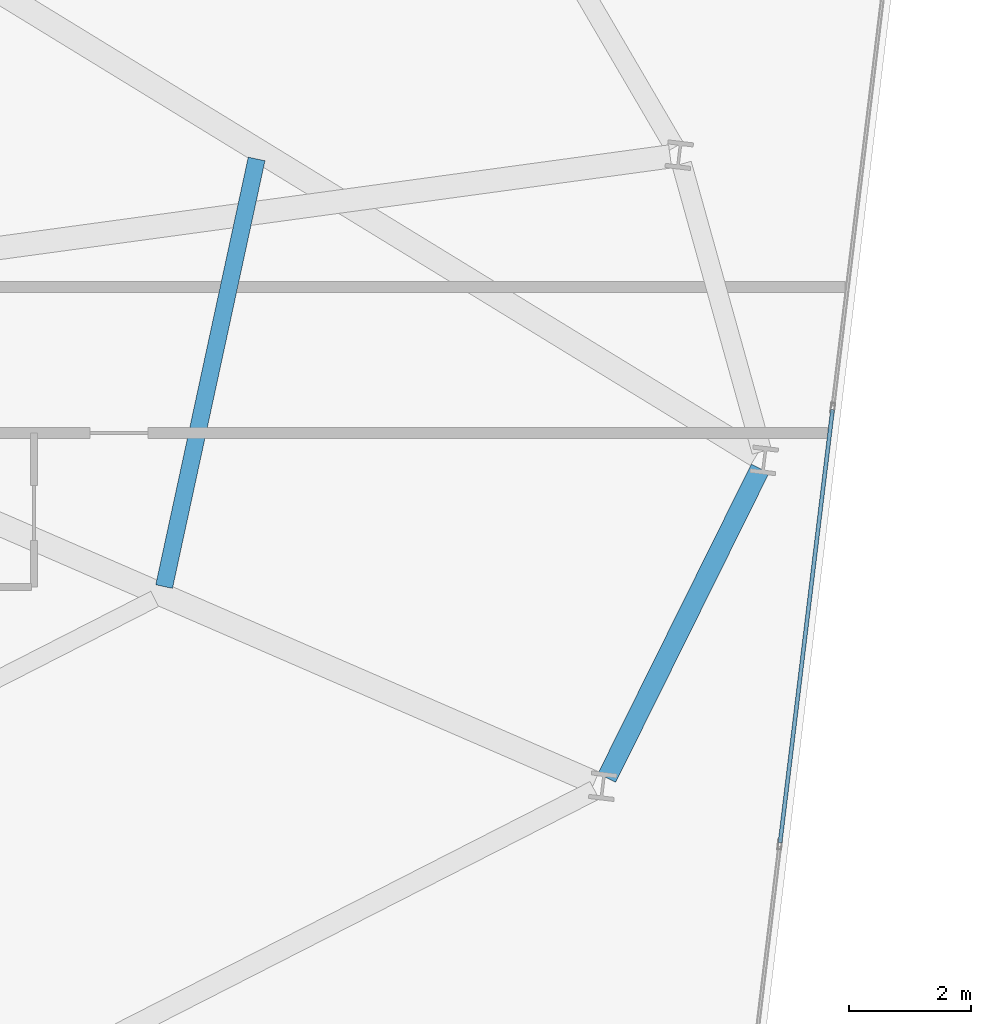
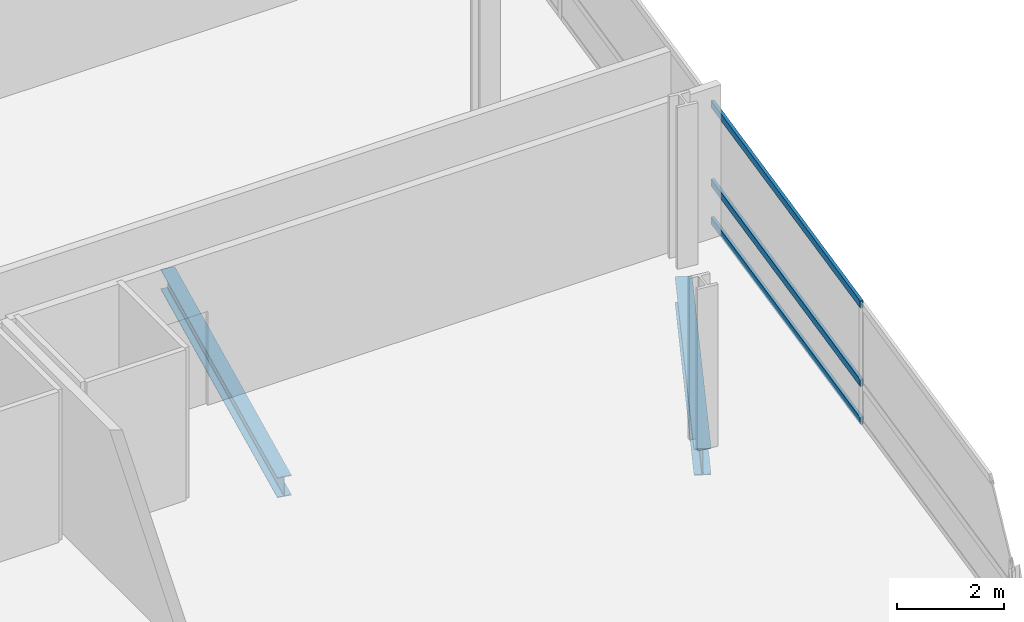
# One storey, part 15 of 26: 3 members, 2 beams, 1 element without a shape of its own.
"""IFC4 building model written with IfcOpenShell, lengths in metres."""

import ifcopenshell
import ifcopenshell.guid

model = None  # the IFC model being written
_history = None  # IfcOwnerHistory: only IFC2X3 demands one
_inside = {}  # id of a spatial element -> (the spatial element, [elements in it])
_under = {}  # id of a project, library or spatial element -> (it, [spatial elements below it])
_declared = {}  # id of a project -> (the project, [libraries it declares])
_typed = {}  # id of a type object -> (the type object, [elements of that type])
_made_of = {}  # id of a material, layer set ... -> (it, [elements and type objects made of it])


def new_model(schema):
    """Start an empty IFC model of exactly this schema.

    Asked for "IFC4X3", IfcOpenShell would pick the latest addendum, in which some entities
    have other attributes; the version numbers below select the first issue.
    IFC2X3 requires an IfcOwnerHistory on every rooted entity: one is made here for all.
    """
    global model, _history
    if schema == "IFC4X3":
        model = ifcopenshell.file(schema_version=(4, 3, 0, 0))
    else:
        model = ifcopenshell.file(schema=schema)
    _inside.clear()
    _under.clear()
    _declared.clear()
    _typed.clear()
    _made_of.clear()
    _history = None
    if model.schema == "IFC2X3":
        org = make("IfcOrganization", Name="unknown")
        user = make(
            "IfcPersonAndOrganization",
            ThePerson=make("IfcPerson", FamilyName="unknown"),
            TheOrganization=org,
        )
        app = make(
            "IfcApplication",
            ApplicationDeveloper=org,
            Version="unknown",
            ApplicationFullName="unknown",
            ApplicationIdentifier="unknown",
        )
        _history = make(
            "IfcOwnerHistory",
            OwningUser=user,
            OwningApplication=app,
            ChangeAction="ADDED",
            CreationDate=0,
        )
    return model


def make(cls, **values):
    """One entity of the class cls with the attributes given. An attribute that is None is left unset."""
    return model.create_entity(
        cls, **{name: value for name, value in values.items() if value is not None}
    )


def rooted(cls, **values):
    """An entity with a GlobalId (a new one), such as an element, a storey or a relation."""
    return make(cls, GlobalId=ifcopenshell.guid.new(), OwnerHistory=_history, **values)


def si_unit(unit_type, name, prefix=None):
    """IfcSIUnit, for example si_unit("LENGTHUNIT", "METRE", prefix="MILLI")."""
    return make("IfcSIUnit", UnitType=unit_type, Prefix=prefix, Name=name)


def assignment(units):
    """IfcUnitAssignment: the units of a project."""
    return None if units is None else make("IfcUnitAssignment", Units=units)


def point(xyz):
    """IfcCartesianPoint."""
    return None if xyz is None else make("IfcCartesianPoint", Coordinates=xyz)


def direction(xyz):
    """IfcDirection."""
    return None if xyz is None else make("IfcDirection", DirectionRatios=xyz)


def frame(location, z_axis=None, x_axis=None):
    """IfcAxis2Placement3D, a coordinate frame: its origin and axes. An axis left out is left unset."""
    return make(
        "IfcAxis2Placement3D",
        Location=point(location),
        Axis=direction(z_axis),
        RefDirection=direction(x_axis),
    )


def frame_2d(location, x_axis=None):
    """IfcAxis2Placement2D, a coordinate frame in the plane: its origin and x axis."""
    return make(
        "IfcAxis2Placement2D", Location=point(location), RefDirection=direction(x_axis)
    )


def origin():
    """The frame at (0, 0, 0) with its axes left unset."""
    return frame((0.0, 0.0, 0.0))


def origin_2d():
    """The frame at (0, 0) in the plane with its x axis left unset."""
    return frame_2d((0.0, 0.0))


def place(relative_to, where):
    """IfcLocalPlacement: puts the frame where relative to a parent placement (None: the world)."""
    return make(
        "IfcLocalPlacement", PlacementRelTo=relative_to, RelativePlacement=where
    )


def context(
    kind, dimensions, precision=None, world=None, true_north=None, identifier=None
):
    """IfcGeometricRepresentationContext, for example the 3D "Model" context."""
    return make(
        "IfcGeometricRepresentationContext",
        ContextIdentifier=identifier,
        ContextType=kind,
        CoordinateSpaceDimension=dimensions,
        Precision=precision,
        WorldCoordinateSystem=world,
        TrueNorth=true_north,
    )


def subcontext(parent, identifier, kind, view, scale=None):
    """IfcGeometricRepresentationSubContext, for example "Body" below "Model"."""
    return make(
        "IfcGeometricRepresentationSubContext",
        ContextIdentifier=identifier,
        ContextType=kind,
        ParentContext=parent,
        TargetScale=scale,
        TargetView=view,
    )


def project(units=None, contexts=None):
    """IfcProject with its units and contexts."""
    return rooted(
        "IfcProject",
        Name="project",
        RepresentationContexts=contexts,
        UnitsInContext=assignment(units),
    )


def spatial(cls, under=None, at=None, **own):
    """A site, building, storey or space (cls), placed at a placement, below another one or the project."""
    s = rooted(cls, ObjectPlacement=at, **own)
    if under is not None:
        _under.setdefault(under.id(), (under, []))[1].append(s)
    return s


def profile(cls, at=None, kind="AREA", **sizes):
    """A parametric profile (cls). Its sizes go by their IFC names, for example OverallWidth=200.0."""
    return make(cls, ProfileType=kind, Position=at, **sizes)


def hollow_rectangle(**sizes):
    """IfcRectangleHollowProfileDef."""
    return profile("IfcRectangleHollowProfileDef", **sizes)


def i_section(**sizes):
    """IfcIShapeProfileDef."""
    return profile("IfcIShapeProfileDef", **sizes)


def extrude(swept, where, along, depth):
    """IfcExtrudedAreaSolid: the profile swept, set in the frame where, extruded along a direction by depth."""
    return make(
        "IfcExtrudedAreaSolid",
        SweptArea=swept,
        Position=where,
        ExtrudedDirection=direction(along),
        Depth=depth,
    )


def shape(context_of_items, identifier, shape_type, items):
    """IfcShapeRepresentation: the items that make up one representation, for example the "Body"."""
    return make(
        "IfcShapeRepresentation",
        ContextOfItems=context_of_items,
        RepresentationIdentifier=identifier,
        RepresentationType=shape_type,
        Items=items,
    )


def material(Name=None, Category=None):
    """IfcMaterial."""
    return make("IfcMaterial", Name=Name, Category=Category)


def layer(
    of_material, thickness, ventilated=None, Name=None, Category=None, Priority=None
):
    """IfcMaterialLayer: one layer of a wall or slab, of a material (None: an air gap)."""
    return make(
        "IfcMaterialLayer",
        Material=of_material,
        LayerThickness=thickness,
        IsVentilated=ventilated,
        Name=Name,
        Category=Category,
        Priority=Priority,
    )


def layer_set(layers, Name=None):
    """IfcMaterialLayerSet."""
    return make("IfcMaterialLayerSet", MaterialLayers=layers, LayerSetName=Name)


def material_profile(
    of_material, cross_section, Name=None, Category=None, Priority=None
):
    """IfcMaterialProfile: a cross section and its material."""
    return make(
        "IfcMaterialProfile",
        Name=Name,
        Material=of_material,
        Profile=cross_section,
        Priority=Priority,
        Category=Category,
    )


def profile_set(profiles, Name=None, composite=None):
    """IfcMaterialProfileSet."""
    return make(
        "IfcMaterialProfileSet",
        Name=Name,
        MaterialProfiles=profiles,
        CompositeProfile=composite,
    )


def made_of(thing, what):
    """Note that an element or type object is made of a material, layer set ...; save() writes the relation."""
    if what is not None:
        _made_of.setdefault(what.id(), (what, []))[1].append(thing)
    return thing


def type_object(cls, material=None, **own):
    """A type object (cls), such as IfcWallType, which elements share."""
    return made_of(rooted(cls, **own), material)


def element(
    cls,
    number,
    at=None,
    inside=None,
    cuts=None,
    type_object=None,
    material=None,
    context=None,
    identifier="Body",
    shape_type=None,
    held_by="IfcProductDefinitionShape",
    body=None,
    shapes=None,
    **own,
):
    """One element of the class cls, such as IfcWall. Its Tag is "e" and its number.

    at: its placement. inside: the storey or other place that contains it. cuts: it is an
    opening in that element (IfcRelVoidsElement). A single representation is given by context,
    identifier, shape_type and body (its items); several are given by shapes. held_by: the class
    of the entity that holds the representations. save() writes the other relations.
    """
    e = rooted(cls, Tag="e%d" % number, ObjectPlacement=at, **own)
    if body is not None:
        shapes = [shape(context, identifier, shape_type, body)]
    if shapes is not None:
        e.Representation = make(held_by, Representations=shapes)
    if inside is not None:
        _inside.setdefault(inside.id(), (inside, []))[1].append(e)
    if cuts is not None:
        rooted(
            "IfcRelVoidsElement", RelatingBuildingElement=cuts, RelatedOpeningElement=e
        )
    if type_object is not None:
        _typed.setdefault(type_object.id(), (type_object, []))[1].append(e)
    return made_of(e, material)


def aggregate(whole, parts):
    """IfcRelAggregates: a whole, such as a stair, and the parts it consists of."""
    return rooted("IfcRelAggregates", RelatingObject=whole, RelatedObjects=parts)


def save(model, path):
    """Write the relations noted so far, then the file.

    IfcRelAggregates (storeys below a building ...), IfcRelContainedInSpatialStructure (elements
    in a storey), IfcRelDefinesByType, IfcRelAssociatesMaterial and IfcRelDeclares: one each for
    every whole, place, type object, material and project.
    """
    for whole, parts in _under.values():
        aggregate(whole, parts)
    for where, things in _inside.values():
        rooted(
            "IfcRelContainedInSpatialStructure",
            RelatedElements=things,
            RelatingStructure=where,
        )
    for kind, things in _typed.values():
        rooted("IfcRelDefinesByType", RelatedObjects=things, RelatingType=kind)
    for what, things in _made_of.values():
        rooted("IfcRelAssociatesMaterial", RelatedObjects=things, RelatingMaterial=what)
    for by, libraries in _declared.values():
        rooted("IfcRelDeclares", RelatingContext=by, RelatedDefinitions=libraries)
    model.write(path)


model = new_model("IFC4")

# Units and contexts
model_context = context("Model", 3, precision=1e-05, world=origin(), true_north=direction((0.0, 1.0)))
body_context = subcontext(model_context, "Body", "Model", "MODEL_VIEW")
ifc_project = project(units=[si_unit("LENGTHUNIT", "METRE"), si_unit("AREAUNIT", "SQUARE_METRE"), si_unit("VOLUMEUNIT", "CUBIC_METRE"), si_unit("PLANEANGLEUNIT", "RADIAN"), si_unit("MASSUNIT", "GRAM", prefix="KILO")], contexts=[model_context])

# Site, building, storey
site_placement = place(None, origin())
site = spatial("IfcSite", under=ifc_project, at=site_placement, CompositionType="ELEMENT")
building_placement = place(site_placement, origin())
building = spatial("IfcBuilding", under=site, at=building_placement, Name="Varnelok Gate Tower", CompositionType="ELEMENT")
storey_placement = place(building_placement, frame((0.0, 0.0, 121.699951171875)))
storey = spatial("IfcBuildingStorey", under=building, at=storey_placement, Name="L30", CompositionType="ELEMENT", Elevation=121.699951171875)

# Beams
ifc_material_1 = material(Name="Structural Steel ASTM A992 Grade 50", Category="steel")
ifc_material_profile_1 = material_profile(ifc_material_1, i_section(OverallWidth=0.280029296875, OverallDepth=0.462890625, WebThickness=0.0107421875, FlangeThickness=0.017333984375, FilletRadius=0.014892578125, at=origin_2d()), Name="W18X76")
ifc_profile_set_1 = profile_set([ifc_material_profile_1], Name="Structural Steel ASTM A992 Grade 50")
beam_type_1 = type_object("IfcBeamType", Name="BM-JST-W18X76", PredefinedType="JOIST", material=ifc_profile_set_1)
beam_1_placement = place(storey_placement, frame((64.616455078125, 14.340087890625, -0.4814453125), z_axis=(0.211387389946, 0.977402358997, 0.0), x_axis=(-0.977402358997, 0.211387389946, 0.0)))
element("IfcBeam", 1, at=beam_1_placement, inside=storey, type_object=beam_type_1, Name="L30 Sector Floor Joist 6", PredefinedType="JOIST", context=body_context, shape_type="SweptSolid", body=[
    extrude(i_section(OverallWidth=0.280029296875, OverallDepth=0.462890625, WebThickness=0.0107421875, FlangeThickness=0.017333984375, FilletRadius=0.014892578125, at=origin_2d()), origin(), (0.0, 0.0, 1.0), 7.158447265625),
])
ifc_material_profile_2 = material_profile(ifc_material_1, i_section(OverallWidth=0.323974609375, OverallDepth=0.611083984375, WebThickness=0.0126953125, FlangeThickness=0.01904296875, FilletRadius=0.01806640625, at=origin_2d()), Name="W24X104")
ifc_profile_set_2 = profile_set([ifc_material_profile_2], Name="Structural Steel ASTM A992 Grade 50")
beam_type_2 = type_object("IfcBeamType", Name="BM-SPN-W24X104", PredefinedType="SPANDREL", material=ifc_profile_set_2)
beam_2_placement = place(storey_placement, frame((71.859619140625, 11.20849609375, -0.555419921875), z_axis=(0.44413424616, 0.895960251009, 0.0), x_axis=(-0.895960251009, 0.44413424616, 0.0)))
element("IfcBeam", 2, at=beam_2_placement, inside=storey, type_object=beam_type_2, Name="L30 Perimeter Spandrel Beam 6", PredefinedType="SPANDREL", context=body_context, shape_type="SweptSolid", body=[
    extrude(i_section(OverallWidth=0.323974609375, OverallDepth=0.611083984375, WebThickness=0.0126953125, FlangeThickness=0.01904296875, FilletRadius=0.01806640625, at=origin_2d()), origin(), (0.0, 0.0, 1.0), 5.64990234375),
])

# Curtain wall, members
ifc_material_2 = material(Name="Anodized Aluminum Alloy 6063-T6", Category="aluminium")
ifc_layer = layer(ifc_material_2, 0.179931640625)
ifc_layer_set = layer_set([ifc_layer], Name="Anodized Aluminum Alloy 6063-T6")
curtain_wall_type = type_object("IfcCurtainWallType", Name="CW3-HOTEL-VISION", PredefinedType="USERDEFINED", material=ifc_layer_set)
curtain_wall_placement = place(storey_placement, origin())
curtain_wall = element("IfcCurtainWall", 3, at=curtain_wall_placement, inside=storey, type_object=curtain_wall_type, Name="L30 East End Vision Curtain Wall", ObjectType="UNITISED CURTAIN WALL", PredefinedType="USERDEFINED")
ifc_material_profile_3 = material_profile(ifc_material_2, hollow_rectangle(XDim=0.06494140625, YDim=0.159912109375, WallThickness=0.00390625, at=origin_2d()), Name="ALU160X65X4")
ifc_profile_set_3 = profile_set([ifc_material_profile_3], Name="Anodized Aluminum Alloy 6063-T6")
member_type = type_object("IfcMemberType", Name="CW-TRAN-160", PredefinedType="USERDEFINED", material=ifc_profile_set_3)
member_1_placement = place(storey_placement, frame((75.553466796875, 17.23388671875, 0.032470703125), z_axis=(-0.120340564253, -0.992732667235, 0.0), x_axis=(0.992732667235, -0.120340564253, 0.0)))
member_1 = element("IfcMember", 4, at=member_1_placement, type_object=member_type, Name="CW3 transom 4.1", ObjectType="TRANSOM", PredefinedType="USERDEFINED", context=body_context, shape_type="SweptSolid", body=[
    extrude(hollow_rectangle(XDim=0.06494140625, YDim=0.159912109375, WallThickness=0.00390625, at=origin_2d()), origin(), (0.0, 0.0, 1.0), 7.135009765625),
])
member_2_placement = place(storey_placement, frame((75.553466796875, 17.23388671875, 0.900146484375), z_axis=(-0.120340564253, -0.992732667235, 0.0), x_axis=(0.992732667235, -0.120340564253, 0.0)))
member_2 = element("IfcMember", 5, at=member_2_placement, type_object=member_type, Name="CW3 transom 4.2", ObjectType="TRANSOM", PredefinedType="USERDEFINED", context=body_context, shape_type="SweptSolid", body=[
    extrude(hollow_rectangle(XDim=0.06494140625, YDim=0.159912109375, WallThickness=0.00390625, at=origin_2d()), origin(), (0.0, 0.0, 1.0), 7.135009765625),
])
member_3_placement = place(storey_placement, frame((75.553466796875, 17.23388671875, 2.697509765625), z_axis=(-0.120340564253, -0.992732667235, 0.0), x_axis=(0.992732667235, -0.120340564253, 0.0)))
member_3 = element("IfcMember", 6, at=member_3_placement, type_object=member_type, Name="CW3 transom 4.3", ObjectType="TRANSOM", PredefinedType="USERDEFINED", context=body_context, shape_type="SweptSolid", body=[
    extrude(hollow_rectangle(XDim=0.06494140625, YDim=0.159912109375, WallThickness=0.00390625, at=origin_2d()), origin(), (0.0, 0.0, 1.0), 7.135009765625),
])
aggregate(curtain_wall, [member_1, member_2, member_3])

save(model, "model.ifc")
